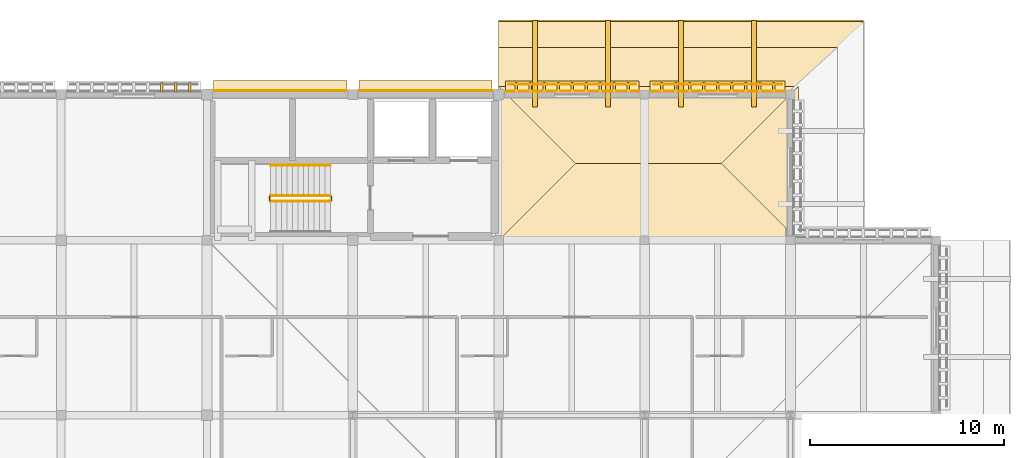
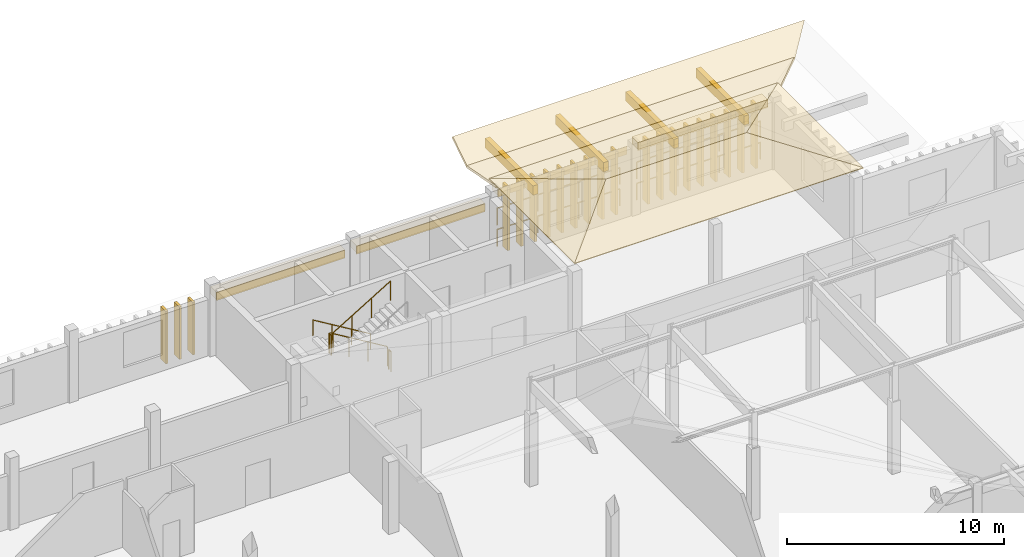
# One storey, part 45 of 48: 39 coverings, 9 railings.
"""IFC4 building model written with IfcOpenShell, lengths in metres."""

from ifc_helpers import new_model, si_unit, direction, frame, origin, origin_2d, place, context, subcontext, project, spatial, polyline, rectangle, circle, outline, extrude, material, layer, layer_set, type_object, element, save


model = new_model("IFC4")

# Units and contexts
model_context = context("Model", 3, precision=1e-05, world=origin(), true_north=direction((0.0, 1.0)))
body_context = subcontext(model_context, "Body", "Model", "MODEL_VIEW")
ifc_project = project(units=[si_unit("LENGTHUNIT", "METRE"), si_unit("AREAUNIT", "SQUARE_METRE"), si_unit("VOLUMEUNIT", "CUBIC_METRE"), si_unit("PLANEANGLEUNIT", "RADIAN"), si_unit("MASSUNIT", "GRAM", prefix="KILO")], contexts=[model_context])

# Site, building, storey
site_placement = place(None, origin())
site = spatial("IfcSite", under=ifc_project, at=site_placement, CompositionType="ELEMENT")
building_placement = place(site_placement, origin())
building = spatial("IfcBuilding", under=site, at=building_placement, Name="Dalvernix Boulevard General Hospital", CompositionType="ELEMENT")
storey_placement = place(building_placement, frame((0.0, 0.0, 17.85009765625)))
storey = spatial("IfcBuildingStorey", under=building, at=storey_placement, Name="L04", CompositionType="ELEMENT", Elevation=17.85009765625)

# Coverings
ifc_material_1 = material(Name="Polychrome Catalan glazed ceramic spandrel tile panel")
ifc_layer_1 = layer(ifc_material_1, 0.044921875)
ifc_layer_set_1 = layer_set([ifc_layer_1], Name="Polychrome Catalan glazed ceramic spandrel tile panel (COV-CLD-01)")
covering_type_1 = type_object("IfcCoveringType", Name="COV-CLD-01", PredefinedType="CLADDING", material=ifc_layer_set_1)
for number, where, z_axis, x_axis, name in (
    (1, (101.262451171875, 117.195068359375, 2.69482421875), (0.0, 0.0, 1.0), (1.0, 0.0, 0.0), "L04 polychrome ceramic spandrel N 13-15"),
    (2, (108.737548828125, 117.195068359375, 2.69482421875), (0.0, 0.0, 1.0), (1.0, 0.0, 0.0), "L04 polychrome ceramic spandrel N 14-15"),
):
    element("IfcCovering", number, at=place(storey_placement, frame(where, z_axis=z_axis, x_axis=x_axis)), inside=storey, type_object=covering_type_1, Name=name, PredefinedType="CLADDING", context=body_context, shape_type="SweptSolid", body=[
        extrude(rectangle(XDim=6.85498046875, YDim=0.044921875, at=origin_2d()), origin(), (0.0, 0.0, 1.0), 0.449951171875),
    ])
covering_1_placement = place(storey_placement, frame((116.27490234375, 117.169921875, 3.294921875), z_axis=(0.0, 0.0, 1.0), x_axis=(1.0, 0.0, 0.0)))
element("IfcCovering", 3, at=covering_1_placement, inside=storey, type_object=covering_type_1, Name="L04 polychrome ceramic spandrel N 15-15", PredefinedType="CLADDING", context=body_context, shape_type="SweptSolid", body=[
    extrude(rectangle(XDim=6.8798828125, YDim=0.044921875, at=origin_2d()), origin(), (0.0, 0.0, 1.0), 0.449951171875),
])
covering_2_placement = place(storey_placement, frame((123.75, 117.169921875, 3.294921875), z_axis=(0.0, 0.0, 1.0), x_axis=(1.0, 0.0, 0.0)))
element("IfcCovering", 4, at=covering_2_placement, inside=storey, type_object=covering_type_1, Name="L04 polychrome ceramic spandrel N 16-15", PredefinedType="CLADDING", context=body_context, shape_type="SweptSolid", body=[
    extrude(rectangle(XDim=6.929931640625, YDim=0.044921875, at=origin_2d()), origin(), (0.0, 0.0, 1.0), 0.449951171875),
])
ifc_material_2 = material(Name="Dressed ochre limestone classical plinth, stringcourse and corbelled cornice", Category="masonry")
ifc_layer_2 = layer(ifc_material_2, 0.449951171875)
ifc_layer_set_2 = layer_set([ifc_layer_2], Name="Dressed ochre limestone classical plinth, stringcourse and corbelled cornice (COV-CRN-01)")
covering_type_2 = type_object("IfcCoveringType", Name="COV-CRN-01", PredefinedType="CLADDING", material=ifc_layer_set_2)
for number, where, z_axis, x_axis, name in (
    (5, (101.262451171875, 117.43505859375, 2.77001953125), (0.0, 0.0, 1.0), (1.0, 0.0, 0.0), "L04 classical corbelled cornice frieze N 13-15"),
    (6, (108.737548828125, 117.43505859375, 2.77001953125), (0.0, 0.0, 1.0), (1.0, 0.0, 0.0), "L04 classical corbelled cornice frieze N 14-15"),
):
    element("IfcCovering", number, at=place(storey_placement, frame(where, z_axis=z_axis, x_axis=x_axis)), inside=storey, type_object=covering_type_2, Name=name, PredefinedType="CLADDING", context=body_context, shape_type="SweptSolid", body=[
        extrude(rectangle(XDim=6.85498046875, YDim=0.56005859375, at=origin_2d()), origin(), (0.0, 0.0, 1.0), 0.39990234375),
    ])
covering_3_placement = place(storey_placement, frame((116.27490234375, 117.409912109375, 3.369873046875), z_axis=(0.0, 0.0, 1.0), x_axis=(1.0, 0.0, 0.0)))
element("IfcCovering", 7, at=covering_3_placement, inside=storey, type_object=covering_type_2, Name="L04 classical corbelled cornice frieze N 15-15", PredefinedType="CLADDING", context=body_context, shape_type="SweptSolid", body=[
    extrude(rectangle(XDim=6.8798828125, YDim=0.56005859375, at=origin_2d()), origin(), (0.0, 0.0, 1.0), 0.39990234375),
])
covering_4_placement = place(storey_placement, frame((123.75, 117.409912109375, 3.369873046875), z_axis=(0.0, 0.0, 1.0), x_axis=(1.0, 0.0, 0.0)))
element("IfcCovering", 8, at=covering_4_placement, inside=storey, type_object=covering_type_2, Name="L04 classical corbelled cornice frieze N 16-15", PredefinedType="CLADDING", context=body_context, shape_type="SweptSolid", body=[
    extrude(rectangle(XDim=6.929931640625, YDim=0.56005859375, at=origin_2d()), origin(), (0.0, 0.0, 1.0), 0.39990234375),
])
ifc_material_3 = material(Name="Glazed Catalan terracotta and iroko timber overhanging upturned eave", Category="masonry")
ifc_layer_3 = layer(ifc_material_3, 0.139892578125)
ifc_layer_set_3 = layer_set([ifc_layer_3], Name="Glazed Catalan terracotta and iroko timber overhanging upturned eave (COV-EAVE-01)")
covering_type_3 = type_object("IfcCoveringType", Name="COV-EAVE-01", PredefinedType="CLADDING", material=ifc_layer_set_3)
covering_5_placement = place(storey_placement, frame((127.5, 116.75, 4.309814453125), z_axis=(0.0, 0.185805173125, 0.982586605669), x_axis=(-1.0, 0.0, 0.0)))
element("IfcCovering", 9, at=covering_5_placement, inside=storey, type_object=covering_type_3, Name="V3NE overhanging ceramic eave skirt N", PredefinedType="CLADDING", context=body_context, shape_type="SweptSolid", body=[
    extrude(outline(polyline([(0.0, 0.0), (15.0, 0.0), (15.0, -2.798735484621844), (-2.5, -2.798735484621844), (0.0, 0.0)])), origin(), (0.0, 0.0, -1.0), 0.139892578125),
])
covering_6_placement = place(storey_placement, frame((130.0, 119.419921875, 3.789794921875), z_axis=(0.0, -0.543014792189, 0.839723130242), x_axis=(-1.0, 0.0, 0.0)))
element("IfcCovering", 10, at=covering_6_placement, inside=storey, type_object=covering_type_3, Name="V3NE upturned ceramic eave wing N", PredefinedType="CLADDING", context=body_context, shape_type="SweptSolid", body=[
    extrude(outline(polyline([(0.0, 0.0), (17.5, 0.0), (17.5, -1.5839484195414872), (-1.25, -1.5839484195414872), (0.0, 0.0)])), origin(), (0.0, 0.0, -1.0), 0.139892578125),
])
ifc_material_4 = material(Name="Preservative-treated glulam GL28h eave outlooker corbel bracket", Category="wood")
ifc_layer_4 = layer(ifc_material_4, 0.239990234375)
ifc_layer_set_4 = layer_set([ifc_layer_4], Name="Preservative-treated glulam GL28h eave outlooker corbel bracket (COV-OUTLOOK-01)")
covering_type_4 = type_object("IfcCoveringType", Name="COV-OUTLOOK-01", PredefinedType="CLADDING", material=ifc_layer_set_4)
for number, where, z_axis, x_axis, name in (
    (11, (114.375, 118.574951171875, 3.389892578125), (0.0, 0.0, 1.0), (1.0, 0.0, 0.0), "V3NE glulam eave outlooker corbel N-1"),
    (12, (118.125, 118.574951171875, 3.389892578125), (0.0, 0.0, 1.0), (1.0, 0.0, 0.0), "V3NE glulam eave outlooker corbel N-2"),
    (13, (121.875, 118.574951171875, 3.389892578125), (0.0, 0.0, 1.0), (1.0, 0.0, 0.0), "V3NE glulam eave outlooker corbel N-3"),
    (14, (125.625, 118.574951171875, 3.389892578125), (0.0, 0.0, 1.0), (1.0, 0.0, 0.0), "V3NE glulam eave outlooker corbel N-4"),
):
    element("IfcCovering", number, at=place(storey_placement, frame(where, z_axis=z_axis, x_axis=x_axis)), inside=storey, type_object=covering_type_4, Name=name, PredefinedType="CLADDING", context=body_context, shape_type="SweptSolid", body=[
        extrude(rectangle(XDim=0.260009765625, YDim=4.449951171875, at=origin_2d()), origin(), (0.0, 0.0, 1.0), 0.52001953125),
    ])
ifc_material_5 = material(Name="Polychrome Catalan glazed terracotta roof tiles", Category="masonry")
ifc_layer_5 = layer(ifc_material_5, 0.050048828125)
ifc_layer_set_5 = layer_set([ifc_layer_5], Name="Polychrome Catalan glazed terracotta roof tiles (COV-ROOF-01)")
covering_type_5 = type_object("IfcCoveringType", Name="COV-ROOF-01", PredefinedType="ROOFING", material=ifc_layer_set_5)
for number, where, z_axis, x_axis, name in (
    (15, (112.5, 109.5, 4.31982421875), (0.0, -0.238536653022, 0.971133495028), (1.0, 0.0, 0.0), "V3NE glazed terracotta tile slope S"),
    (16, (127.89990234375, 117.39990234375, 4.31982421875), (0.0, 0.238536653022, 0.971133495028), (-1.0, 0.0, 0.0), "V3NE glazed terracotta tile slope N"),
):
    element("IfcCovering", number, at=place(storey_placement, frame(where, z_axis=z_axis, x_axis=x_axis)), inside=storey, type_object=covering_type_5, Name=name, PredefinedType="ROOFING", context=body_context, shape_type="SweptSolid", body=[
        extrude(outline(polyline([(0.0, 0.0), (15.39990234375, 0.0), (11.449951171875, 4.067361688272819), (3.949951171875, 4.067361688272819), (0.0, 0.0)])), origin(), (0.0, 0.0, -1.0), 0.050048828125),
    ])
for number, where, z_axis, x_axis, name in (
    (17, (112.5, 117.39990234375, 4.31982421875), (-0.238536653022, 0.0, 0.971133495028), (0.0, -1.0, 0.0), "V3NE glazed terracotta tile slope W"),
    (18, (127.89990234375, 109.5, 4.31982421875), (0.238536653022, 0.0, 0.971133495028), (0.0, 1.0, 0.0), "V3NE glazed terracotta tile slope E"),
):
    element("IfcCovering", number, at=place(storey_placement, frame(where, z_axis=z_axis, x_axis=x_axis)), inside=storey, type_object=covering_type_5, Name=name, PredefinedType="ROOFING", context=body_context, shape_type="SweptSolid", body=[
        extrude(outline(polyline([(0.0, 0.0), (7.89990234375, 0.0), (3.949951171875, 4.06736168827282), (0.0, 0.0)])), origin(), (0.0, 0.0, -1.0), 0.050048828125),
    ])
ifc_material_6 = material(Name="Preservative-treated West African iroko timber lattice screen", Category="wood")
ifc_layer_6 = layer(ifc_material_6, 0.1201171875)
ifc_layer_set_6 = layer_set([ifc_layer_6], Name="Preservative-treated West African iroko timber lattice screen (COV-TSCR-01)")
covering_type_6 = type_object("IfcCoveringType", Name="COV-TSCR-01", PredefinedType="CLADDING", material=ifc_layer_set_6)
for number, where, z_axis, x_axis, name in (
    (19, (95.177490234375, 117.3701171875, 0.10009765625), (0.0, 0.0, 1.0), (1.0, 0.0, 0.0), "L04 upper-ward timber screen blade N 12-15-7"),
    (20, (95.8974609375, 117.3701171875, 0.10009765625), (0.0, 0.0, 1.0), (1.0, 0.0, 0.0), "L04 upper-ward timber screen blade N 12-15-8"),
    (21, (96.617431640625, 117.3701171875, 0.10009765625), (0.0, 0.0, 1.0), (1.0, 0.0, 0.0), "L04 upper-ward timber screen blade N 12-15-9"),
):
    element("IfcCovering", number, at=place(storey_placement, frame(where, z_axis=z_axis, x_axis=x_axis)), inside=storey, type_object=covering_type_6, Name=name, PredefinedType="CLADDING", context=body_context, shape_type="SweptSolid", body=[
        extrude(rectangle(XDim=0.1298828125, YDim=0.47998046875, at=origin_2d()), origin(), (0.0, 0.0, 1.0), 2.969970703125),
    ])
for number, where, z_axis, x_axis, name in (
    (22, (113.39501953125, 117.3701171875, 0.10009765625), (0.0, 0.0, 1.0), (1.0, 0.0, 0.0), "L04 upper-ward timber screen blade N 15-15-1"),
    (23, (114.114990234375, 117.3701171875, 0.10009765625), (0.0, 0.0, 1.0), (1.0, 0.0, 0.0), "L04 upper-ward timber screen blade N 15-15-2"),
    (24, (114.8349609375, 117.3701171875, 0.10009765625), (0.0, 0.0, 1.0), (1.0, 0.0, 0.0), "L04 upper-ward timber screen blade N 15-15-3"),
    (25, (115.554931640625, 117.3701171875, 0.10009765625), (0.0, 0.0, 1.0), (1.0, 0.0, 0.0), "L04 upper-ward timber screen blade N 15-15-4"),
    (26, (116.27490234375, 117.3701171875, 0.10009765625), (0.0, 0.0, 1.0), (1.0, 0.0, 0.0), "L04 upper-ward timber screen blade N 15-15-5"),
    (27, (116.9951171875, 117.3701171875, 0.10009765625), (0.0, 0.0, 1.0), (1.0, 0.0, 0.0), "L04 upper-ward timber screen blade N 15-15-6"),
    (28, (117.715087890625, 117.3701171875, 0.10009765625), (0.0, 0.0, 1.0), (1.0, 0.0, 0.0), "L04 upper-ward timber screen blade N 15-15-7"),
    (29, (118.43505859375, 117.3701171875, 0.10009765625), (0.0, 0.0, 1.0), (1.0, 0.0, 0.0), "L04 upper-ward timber screen blade N 15-15-8"),
    (30, (119.155029296875, 117.3701171875, 0.10009765625), (0.0, 0.0, 1.0), (1.0, 0.0, 0.0), "L04 upper-ward timber screen blade N 15-15-9"),
    (31, (120.8701171875, 117.3701171875, 0.10009765625), (0.0, 0.0, 1.0), (1.0, 0.0, 0.0), "L04 upper-ward timber screen blade N 16-15-1"),
    (32, (121.590087890625, 117.3701171875, 0.10009765625), (0.0, 0.0, 1.0), (1.0, 0.0, 0.0), "L04 upper-ward timber screen blade N 16-15-2"),
    (33, (122.31005859375, 117.3701171875, 0.10009765625), (0.0, 0.0, 1.0), (1.0, 0.0, 0.0), "L04 upper-ward timber screen blade N 16-15-3"),
    (34, (123.030029296875, 117.3701171875, 0.10009765625), (0.0, 0.0, 1.0), (1.0, 0.0, 0.0), "L04 upper-ward timber screen blade N 16-15-4"),
    (35, (123.75, 117.3701171875, 0.10009765625), (0.0, 0.0, 1.0), (1.0, 0.0, 0.0), "L04 upper-ward timber screen blade N 16-15-5"),
    (36, (124.469970703125, 117.3701171875, 0.10009765625), (0.0, 0.0, 1.0), (1.0, 0.0, 0.0), "L04 upper-ward timber screen blade N 16-15-6"),
    (37, (125.18994140625, 117.3701171875, 0.10009765625), (0.0, 0.0, 1.0), (1.0, 0.0, 0.0), "L04 upper-ward timber screen blade N 16-15-7"),
    (38, (125.909912109375, 117.3701171875, 0.10009765625), (0.0, 0.0, 1.0), (1.0, 0.0, 0.0), "L04 upper-ward timber screen blade N 16-15-8"),
    (39, (126.6298828125, 117.3701171875, 0.10009765625), (0.0, 0.0, 1.0), (1.0, 0.0, 0.0), "L04 upper-ward timber screen blade N 16-15-9"),
):
    element("IfcCovering", number, at=place(storey_placement, frame(where, z_axis=z_axis, x_axis=x_axis)), inside=storey, type_object=covering_type_6, Name=name, PredefinedType="CLADDING", context=body_context, shape_type="SweptSolid", body=[
        extrude(rectangle(XDim=0.1298828125, YDim=0.47998046875, at=origin_2d()), origin(), (0.0, 0.0, 1.0), 3.570068359375),
    ])

# Railings
ifc_material_7 = material(Name="Brushed stainless steel balustrade", Category="steel")
railing_type_1 = type_object("IfcRailingType", Name="RL-GR-INT1", PredefinedType="BALUSTRADE", material=ifc_material_7)
railing_1_placement = place(storey_placement, frame((103.85009765625, 111.800048828125, 0.168701171875)))
element("IfcRailing", 40, at=railing_1_placement, inside=storey, type_object=railing_type_1, Name="L04 ST-04 stair guard 1", PredefinedType="BALUSTRADE", context=body_context, shape_type="SweptSolid", body=[
    extrude(circle(Radius=0.02392578125, at=origin_2d()), frame((0.0, 0.0, 1.09619140625), z_axis=(-0.856490936558, 0.0, 0.516162063304), x_axis=(0.0, -1.0, 0.0)), (0.0, 0.0, 1.0), 3.59619140625),
    extrude(circle(Radius=0.02099609375, at=origin_2d()), origin(), (0.0, 0.0, 1.0), 1.072021484375),
    extrude(circle(Radius=0.02099609375, at=origin_2d()), frame((-1.026611328125, 0.0, 0.61865234375)), (0.0, 0.0, 1.0), 1.072021484375),
    extrude(circle(Radius=0.02099609375, at=origin_2d()), frame((-2.053466796875, 0.0, 1.237548828125)), (0.0, 0.0, 1.0), 1.072021484375),
    extrude(circle(Radius=0.02099609375, at=origin_2d()), frame((-3.080078125, 0.0, 1.856201171875)), (0.0, 0.0, 1.0), 1.072021484375),
])
railing_2_placement = place(storey_placement, frame((100.719970703125, 111.75, 2.02490234375)))
element("IfcRailing", 41, at=railing_2_placement, inside=storey, type_object=railing_type_1, Name="L04 ST-04 stair guard 2", PredefinedType="BALUSTRADE", context=body_context, shape_type="SweptSolid", body=[
    extrude(circle(Radius=0.02392578125, at=origin_2d()), frame((0.0, 0.0, 1.09619140625), z_axis=(0.0, -1.0, 0.0), x_axis=(1.0, 0.0, 0.0)), (0.0, 0.0, 1.0), 0.199951171875),
    extrude(circle(Radius=0.02099609375, at=origin_2d()), origin(), (0.0, 0.0, 1.0), 1.072021484375),
    extrude(circle(Radius=0.02099609375, at=origin_2d()), frame((0.0, -0.199951171875, 0.0)), (0.0, 0.0, 1.0), 1.072021484375),
])
railing_3_placement = place(storey_placement, frame((100.77001953125, 111.5, 2.193603515625)))
element("IfcRailing", 42, at=railing_3_placement, inside=storey, type_object=railing_type_1, Name="L04 ST-04 stair guard 3", PredefinedType="BALUSTRADE", context=body_context, shape_type="SweptSolid", body=[
    extrude(circle(Radius=0.02392578125, at=origin_2d()), frame((0.0, 0.0, 1.09619140625), z_axis=(0.856490936558, 0.0, 0.516162063304), x_axis=(0.0, 1.0, 0.0)), (0.0, 0.0, 1.0), 3.59619140625),
    extrude(circle(Radius=0.02099609375, at=origin_2d()), origin(), (0.0, 0.0, 1.0), 1.072021484375),
    extrude(circle(Radius=0.02099609375, at=origin_2d()), frame((1.026611328125, 0.0, 0.61865234375)), (0.0, 0.0, 1.0), 1.072021484375),
    extrude(circle(Radius=0.02099609375, at=origin_2d()), frame((2.053466796875, 0.0, 1.237548828125)), (0.0, 0.0, 1.0), 1.072021484375),
    extrude(circle(Radius=0.02099609375, at=origin_2d()), frame((3.080078125, 0.0, 1.856201171875)), (0.0, 0.0, 1.0), 1.072021484375),
])
railing_4_placement = place(storey_placement, frame((103.89990234375, 111.75, 0.0)))
element("IfcRailing", 43, at=railing_4_placement, inside=storey, type_object=railing_type_1, Name="L04 ST-04 stair guard 4", PredefinedType="BALUSTRADE", context=body_context, shape_type="SweptSolid", body=[
    extrude(circle(Radius=0.02392578125, at=origin_2d()), frame((0.0, 0.0, 1.09619140625), z_axis=(0.0, -1.0, 0.0), x_axis=(1.0, 0.0, 0.0)), (0.0, 0.0, 1.0), 0.199951171875),
    extrude(circle(Radius=0.02099609375, at=origin_2d()), origin(), (0.0, 0.0, 1.0), 1.072021484375),
    extrude(circle(Radius=0.02099609375, at=origin_2d()), frame((0.0, -0.199951171875, 0.0)), (0.0, 0.0, 1.0), 1.072021484375),
])
ifc_material_8 = material(Name="Brushed stainless steel wall handrail", Category="steel")
railing_type_2 = type_object("IfcRailingType", Name="RL-HR-INT1", PredefinedType="HANDRAIL", material=ifc_material_8)
railing_5_placement = place(storey_placement, frame((103.85009765625, 113.35009765625, 0.168701171875)))
element("IfcRailing", 44, at=railing_5_placement, inside=storey, type_object=railing_type_2, Name="L04 ST-04 stair handrail 1", PredefinedType="HANDRAIL", context=body_context, shape_type="SweptSolid", body=[
    extrude(circle(Radius=0.02392578125, at=origin_2d()), frame((0.0, 0.0, 0.8759765625), z_axis=(-0.856490936558, 0.0, 0.516162063304), x_axis=(0.0, -1.0, 0.0)), (0.0, 0.0, 1.0), 3.59619140625),
    extrude(circle(Radius=0.02099609375, at=origin_2d()), origin(), (0.0, 0.0, 1.0), 0.851806640625),
    extrude(circle(Radius=0.02099609375, at=origin_2d()), frame((-1.026611328125, 0.0, 0.61865234375)), (0.0, 0.0, 1.0), 0.851806640625),
    extrude(circle(Radius=0.02099609375, at=origin_2d()), frame((-2.053466796875, 0.0, 1.237548828125)), (0.0, 0.0, 1.0), 0.851806640625),
    extrude(circle(Radius=0.02099609375, at=origin_2d()), frame((-3.080078125, 0.0, 1.856201171875)), (0.0, 0.0, 1.0), 0.851806640625),
])
ifc_material_9 = material(Name="Preservative-treated iroko timber horizontal screen louver rail", Category="wood")
railing_type_3 = type_object("IfcRailingType", Name="RL-TSCR-01", PredefinedType="BALUSTRADE", material=ifc_material_9)
for number, where, name in (
    (45, (113.0048828125, 117.530029296875, 0.25), "L04 upper-ward horizontal timber screen louver N 15-15-1"),
    (46, (113.0048828125, 117.530029296875, 1.449951171875), "L04 upper-ward horizontal timber screen louver N 15-15-2"),
):
    element("IfcRailing", number, at=place(storey_placement, frame(where)), inside=storey, type_object=railing_type_3, Name=name, PredefinedType="BALUSTRADE", context=body_context, shape_type="SweptSolid", body=[
        extrude(circle(Radius=0.02392578125, at=origin_2d()), frame((0.0, 0.0, 0.92578125), z_axis=(1.0, 0.0, 0.0), x_axis=(0.0, 1.0, 0.0)), (0.0, 0.0, 1.0), 6.5400390625),
        extrude(circle(Radius=0.02099609375, at=origin_2d()), origin(), (0.0, 0.0, 1.0), 0.90185546875),
        extrude(circle(Radius=0.02099609375, at=origin_2d()), frame((1.090087890625, 0.0, 0.0)), (0.0, 0.0, 1.0), 0.90185546875),
        extrude(circle(Radius=0.02099609375, at=origin_2d()), frame((2.179931640625, 0.0, 0.0)), (0.0, 0.0, 1.0), 0.90185546875),
        extrude(circle(Radius=0.02099609375, at=origin_2d()), frame((3.27001953125, 0.0, 0.0)), (0.0, 0.0, 1.0), 0.90185546875),
        extrude(circle(Radius=0.02099609375, at=origin_2d()), frame((4.360107421875, 0.0, 0.0)), (0.0, 0.0, 1.0), 0.90185546875),
        extrude(circle(Radius=0.02099609375, at=origin_2d()), frame((5.449951171875, 0.0, 0.0)), (0.0, 0.0, 1.0), 0.90185546875),
        extrude(circle(Radius=0.02099609375, at=origin_2d()), frame((6.5400390625, 0.0, 0.0)), (0.0, 0.0, 1.0), 0.90185546875),
    ])
for number, where, name in (
    (47, (120.455078125, 117.530029296875, 0.25), "L04 upper-ward horizontal timber screen louver N 16-15-1"),
    (48, (120.455078125, 117.530029296875, 1.449951171875), "L04 upper-ward horizontal timber screen louver N 16-15-2"),
):
    element("IfcRailing", number, at=place(storey_placement, frame(where)), inside=storey, type_object=railing_type_3, Name=name, PredefinedType="BALUSTRADE", context=body_context, shape_type="SweptSolid", body=[
        extrude(circle(Radius=0.02392578125, at=origin_2d()), frame((0.0, 0.0, 0.92578125), z_axis=(1.0, 0.0, 0.0), x_axis=(0.0, 1.0, 0.0)), (0.0, 0.0, 1.0), 6.58984375),
        extrude(circle(Radius=0.02099609375, at=origin_2d()), origin(), (0.0, 0.0, 1.0), 0.90185546875),
        extrude(circle(Radius=0.02099609375, at=origin_2d()), frame((1.098388671875, 0.0, 0.0)), (0.0, 0.0, 1.0), 0.90185546875),
        extrude(circle(Radius=0.02099609375, at=origin_2d()), frame((2.196533203125, 0.0, 0.0)), (0.0, 0.0, 1.0), 0.90185546875),
        extrude(circle(Radius=0.02099609375, at=origin_2d()), frame((3.294921875, 0.0, 0.0)), (0.0, 0.0, 1.0), 0.90185546875),
        extrude(circle(Radius=0.02099609375, at=origin_2d()), frame((4.393310546875, 0.0, 0.0)), (0.0, 0.0, 1.0), 0.90185546875),
        extrude(circle(Radius=0.02099609375, at=origin_2d()), frame((5.491455078125, 0.0, 0.0)), (0.0, 0.0, 1.0), 0.90185546875),
        extrude(circle(Radius=0.02099609375, at=origin_2d()), frame((6.58984375, 0.0, 0.0)), (0.0, 0.0, 1.0), 0.90185546875),
    ])

save(model, "model.ifc")
